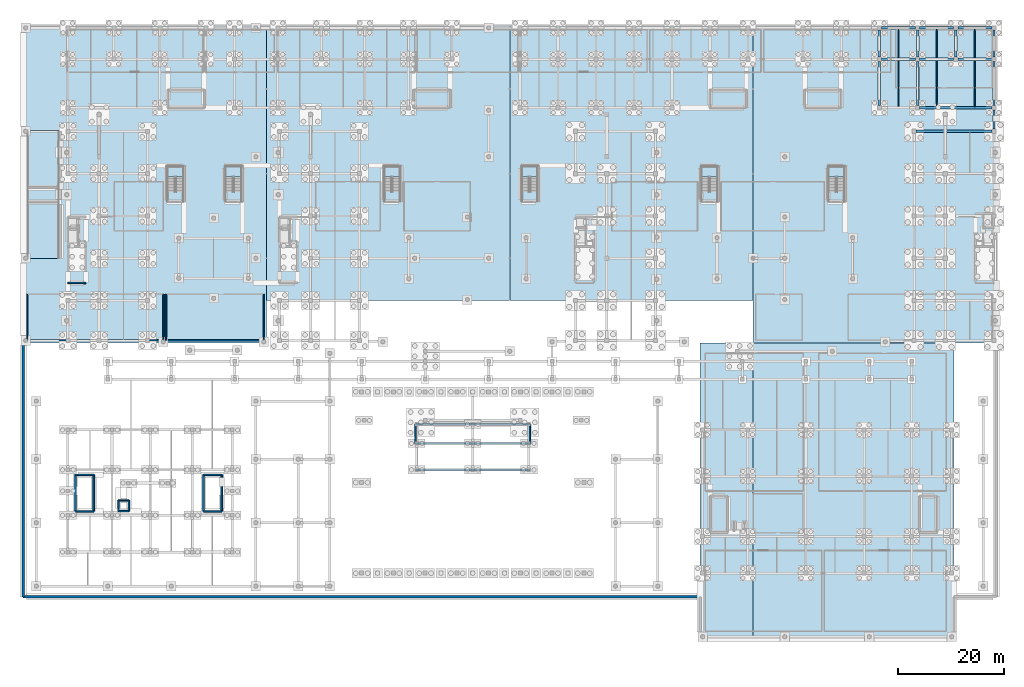
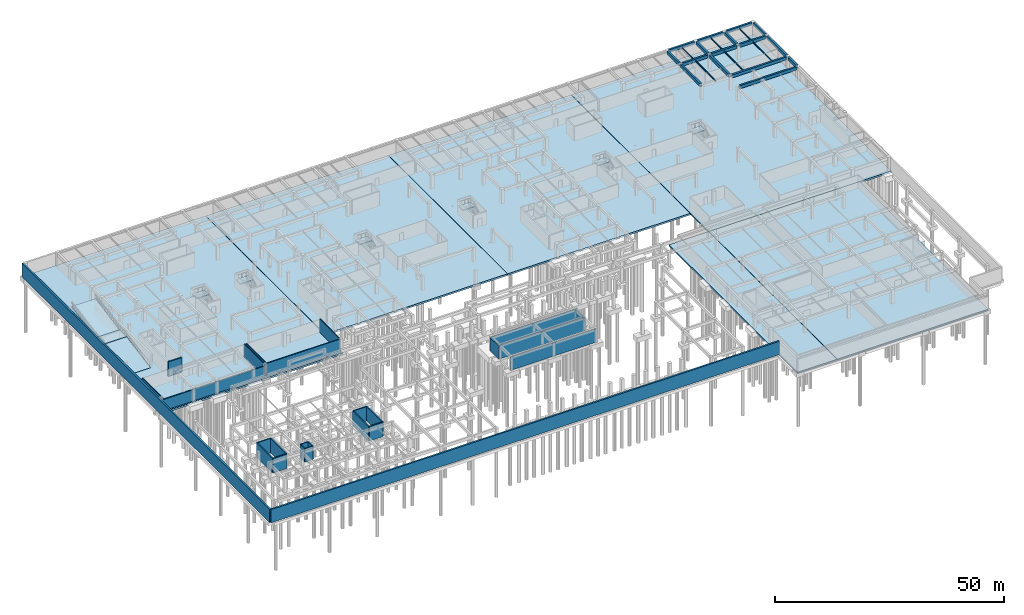
# One storey, part 18 of 35: 26 walls, 22 beams, 15 slabs, 6 elements without a shape of their own.
"""IFC4 building model written with IfcOpenShell, lengths in metres."""

from ifc_helpers import new_model, si_unit, direction, frame, frame_2d, origin, origin_2d, place, context, subcontext, project, spatial, polyline, rectangle, i_section, outline, extrude, material, layer, layer_set, material_profile, profile_set, type_object, element, aggregate, save


model = new_model("IFC4")

# Units and contexts
model_context = context("Model", 3, precision=1e-05, world=origin(), true_north=direction((0.0, 1.0)))
body_context = subcontext(model_context, "Body", "Model", "MODEL_VIEW")
ifc_project = project(units=[si_unit("LENGTHUNIT", "METRE"), si_unit("AREAUNIT", "SQUARE_METRE"), si_unit("VOLUMEUNIT", "CUBIC_METRE"), si_unit("PLANEANGLEUNIT", "RADIAN"), si_unit("MASSUNIT", "GRAM", prefix="KILO")], contexts=[model_context])

# Site, building, storey
site_placement = place(None, origin())
site = spatial("IfcSite", under=ifc_project, at=site_placement, CompositionType="ELEMENT")
building_placement = place(site_placement, origin())
building = spatial("IfcBuilding", under=site, at=building_placement, Name="Keldmere Railside Commons", CompositionType="ELEMENT")
storey_placement = place(building_placement, frame((0.0, 0.0, -3.840087890625)))
storey = spatial("IfcBuildingStorey", under=building, at=storey_placement, Name="B1", CompositionType="ELEMENT", Elevation=-3.840087890625)

# Beams
ifc_material_1 = material(Name="Concrete H-35 (C35/45)", Category="concrete")
ifc_material_profile_1 = material_profile(ifc_material_1, rectangle(XDim=0.449951171875, YDim=0.800048828125, at=origin_2d()), Name="RC-450x800")
ifc_profile_set_1 = profile_set([ifc_material_profile_1], Name="Concrete H-35 (C35/45)")
beam_type_1 = type_object("IfcBeamType", Name="Basement & Podium RC Girder 450x800", PredefinedType="BEAM", material=ifc_profile_set_1)
beam_1_placement = place(storey_placement, frame((168.85009765625, 96.0, 3.440185546875), z_axis=(1.0, 0.0, 0.0), x_axis=(0.0, 1.0, 0.0)))
element("IfcBeam", 1, at=beam_1_placement, inside=storey, type_object=beam_type_1, Name="BG-1 BM-B1-0134", PredefinedType="BEAM", context=body_context, shape_type="SweptSolid", body=[
    extrude(rectangle(XDim=0.449951171875, YDim=0.800048828125, at=origin_2d()), origin(), (0.0, 0.0, 1.0), 14.2998046875),
])
beam_2_placement = place(storey_placement, frame((169.510009765625, 100.449951171875, 3.440185546875), z_axis=(1.0, 0.0, 0.0), x_axis=(0.0, 1.0, 0.0)))
element("IfcBeam", 2, at=beam_2_placement, inside=storey, type_object=beam_type_1, Name="BG-1 BM-B1-0144", PredefinedType="BEAM", context=body_context, shape_type="SweptSolid", body=[
    extrude(rectangle(XDim=0.449951171875, YDim=0.800048828125, at=origin_2d()), origin(), (0.0, 0.0, 1.0), 13.639892578125),
])
for number, where, z_axis, x_axis, name in (
    (3, (162.2900390625, 109.64990234375, 3.440185546875), (1.0, 0.0, 0.0), (0.0, 1.0, 0.0), "BG-1 BM-B1-0161"),
    (4, (169.510009765625, 109.64990234375, 3.440185546875), (1.0, 0.0, 0.0), (0.0, 1.0, 0.0), "BG-1 BM-B1-0162"),
    (5, (176.72998046875, 109.64990234375, 3.440185546875), (1.0, 0.0, 0.0), (0.0, 1.0, 0.0), "BG-1 BM-B1-0163"),
    (6, (162.2900390625, 115.550048828125, 3.440185546875), (1.0, 0.0, 0.0), (0.0, 1.0, 0.0), "BG-1 BM-B1-0179"),
    (7, (169.510009765625, 115.550048828125, 3.440185546875), (1.0, 0.0, 0.0), (0.0, 1.0, 0.0), "BG-1 BM-B1-0180"),
    (8, (176.72998046875, 115.550048828125, 3.440185546875), (1.0, 0.0, 0.0), (0.0, 1.0, 0.0), "BG-1 BM-B1-0181"),
):
    element("IfcBeam", number, at=place(storey_placement, frame(where, z_axis=z_axis, x_axis=x_axis)), inside=storey, type_object=beam_type_1, Name=name, PredefinedType="BEAM", context=body_context, shape_type="SweptSolid", body=[
        extrude(rectangle(XDim=0.449951171875, YDim=0.800048828125, at=origin_2d()), origin(), (0.0, 0.0, 1.0), 6.419921875),
    ])
beam_3_placement = place(storey_placement, frame((161.889892578125, 100.85009765625, 3.440185546875), z_axis=(0.0, 1.0, 0.0), x_axis=(-1.0, 0.0, 0.0)))
element("IfcBeam", 9, at=beam_3_placement, inside=storey, type_object=beam_type_1, Name="BG-1 BM-B1-0316", PredefinedType="BEAM", context=body_context, shape_type="SweptSolid", body=[
    extrude(rectangle(XDim=0.449951171875, YDim=0.800048828125, at=origin_2d()), origin(), (0.0, 0.0, 1.0), 8.39990234375),
])
beam_4_placement = place(storey_placement, frame((161.889892578125, 110.050048828125, 3.440185546875), z_axis=(0.0, 1.0, 0.0), x_axis=(-1.0, 0.0, 0.0)))
element("IfcBeam", 10, at=beam_4_placement, inside=storey, type_object=beam_type_1, Name="BG-1 BM-B1-0317", PredefinedType="BEAM", context=body_context, shape_type="SweptSolid", body=[
    extrude(rectangle(XDim=0.449951171875, YDim=0.800048828125, at=origin_2d()), origin(), (0.0, 0.0, 1.0), 5.099853515625),
])
beam_5_placement = place(storey_placement, frame((169.110107421875, 100.85009765625, 3.440185546875), z_axis=(0.0, 1.0, 0.0), x_axis=(-1.0, 0.0, 0.0)))
element("IfcBeam", 11, at=beam_5_placement, inside=storey, type_object=beam_type_1, Name="BG-1 BM-B1-0327", PredefinedType="BEAM", context=body_context, shape_type="SweptSolid", body=[
    extrude(rectangle(XDim=0.449951171875, YDim=0.800048828125, at=origin_2d()), origin(), (0.0, 0.0, 1.0), 8.39990234375),
])
for number, where, z_axis, x_axis, name in (
    (12, (169.110107421875, 110.050048828125, 3.440185546875), (0.0, 1.0, 0.0), (-1.0, 0.0, 0.0), "BG-1 BM-B1-0328"),
    (13, (176.330078125, 110.050048828125, 3.440185546875), (0.0, 1.0, 0.0), (-1.0, 0.0, 0.0), "BG-1 BM-B1-0336"),
):
    element("IfcBeam", number, at=place(storey_placement, frame(where, z_axis=z_axis, x_axis=x_axis)), inside=storey, type_object=beam_type_1, Name=name, PredefinedType="BEAM", context=body_context, shape_type="SweptSolid", body=[
        extrude(rectangle(XDim=0.449951171875, YDim=0.800048828125, at=origin_2d()), origin(), (0.0, 0.0, 1.0), 5.099853515625),
    ])
beam_6_placement = place(storey_placement, frame((183.550048828125, 96.39990234375, 3.440185546875), z_axis=(0.0, 1.0, 0.0), x_axis=(-1.0, 0.0, 0.0)))
element("IfcBeam", 14, at=beam_6_placement, inside=storey, type_object=beam_type_1, Name="BG-1 BM-B1-0343", PredefinedType="BEAM", context=body_context, shape_type="SweptSolid", body=[
    extrude(rectangle(XDim=0.449951171875, YDim=0.800048828125, at=origin_2d()), origin(), (0.0, 0.0, 1.0), 3.650146484375),
])
beam_7_placement = place(storey_placement, frame((183.550048828125, 100.85009765625, 3.440185546875), z_axis=(0.0, 1.0, 0.0), x_axis=(-1.0, 0.0, 0.0)))
element("IfcBeam", 15, at=beam_7_placement, inside=storey, type_object=beam_type_1, Name="BG-1 BM-B1-0344", PredefinedType="BEAM", context=body_context, shape_type="SweptSolid", body=[
    extrude(rectangle(XDim=0.449951171875, YDim=0.800048828125, at=origin_2d()), origin(), (0.0, 0.0, 1.0), 8.39990234375),
])
beam_8_placement = place(storey_placement, frame((183.550048828125, 110.050048828125, 3.440185546875), z_axis=(0.0, 1.0, 0.0), x_axis=(-1.0, 0.0, 0.0)))
element("IfcBeam", 16, at=beam_8_placement, inside=storey, type_object=beam_type_1, Name="BG-1 BM-B1-0345", PredefinedType="BEAM", context=body_context, shape_type="SweptSolid", body=[
    extrude(rectangle(XDim=0.449951171875, YDim=0.800048828125, at=origin_2d()), origin(), (0.0, 0.0, 1.0), 5.099853515625),
])
ifc_material_2 = material(Name="Steel F-36 (S355)", Category="steel")
ifc_material_profile_2 = material_profile(ifc_material_2, i_section(OverallWidth=0.14990234375, OverallDepth=0.300048828125, WebThickness=0.007080078125, FlangeThickness=0.0107421875, at=origin_2d()), Name="IPE-300")
ifc_profile_set_2 = profile_set([ifc_material_profile_2], Name="Steel F-36 (S355)")
beam_type_2 = type_object("IfcBeamType", Name="Podium & Arcade Steel Joist IPE300", PredefinedType="JOIST", material=ifc_profile_set_2)
for number, where, z_axis, x_axis, name in (
    (17, (165.5, 100.675048828125, 3.3701171875), (0.0, 1.0, 0.0), (-1.0, 0.0, 0.0), "JST-1 BM-B1-0402"),
    (18, (172.719970703125, 100.675048828125, 3.3701171875), (0.0, 1.0, 0.0), (-1.0, 0.0, 0.0), "JST-1 BM-B1-0403"),
    (19, (179.93994140625, 100.675048828125, 3.3701171875), (0.0, 1.0, 0.0), (-1.0, 0.0, 0.0), "JST-1 BM-B1-0404"),
):
    element("IfcBeam", number, at=place(storey_placement, frame(where, z_axis=z_axis, x_axis=x_axis)), inside=storey, type_object=beam_type_2, Name=name, PredefinedType="JOIST", context=body_context, shape_type="SweptSolid", body=[
        extrude(i_section(OverallWidth=0.14990234375, OverallDepth=0.300048828125, WebThickness=0.007080078125, FlangeThickness=0.0107421875, at=origin_2d()), origin(), (0.0, 0.0, 1.0), 8.75),
    ])
for number, where, z_axis, x_axis, name in (
    (20, (165.5, 109.875, 3.3701171875), (0.0, 1.0, 0.0), (-1.0, 0.0, 0.0), "JST-1 BM-B1-0420"),
    (21, (172.719970703125, 109.875, 3.3701171875), (0.0, 1.0, 0.0), (-1.0, 0.0, 0.0), "JST-1 BM-B1-0421"),
    (22, (179.93994140625, 109.875, 3.3701171875), (0.0, 1.0, 0.0), (-1.0, 0.0, 0.0), "JST-1 BM-B1-0422"),
):
    element("IfcBeam", number, at=place(storey_placement, frame(where, z_axis=z_axis, x_axis=x_axis)), inside=storey, type_object=beam_type_2, Name=name, PredefinedType="JOIST", context=body_context, shape_type="SweptSolid", body=[
        extrude(i_section(OverallWidth=0.14990234375, OverallDepth=0.300048828125, WebThickness=0.007080078125, FlangeThickness=0.0107421875, at=origin_2d()), origin(), (0.0, 0.0, 1.0), 5.449951171875),
    ])

# Slabs
ifc_material_3 = material(Name="Concrete H-40 (C40/50)", Category="concrete")
ifc_layer_1 = layer(ifc_material_3, 0.449951171875, Name="Basement Base Slab 450")
ifc_layer_set_1 = layer_set([ifc_layer_1], Name="Concrete H-40 (C40/50)")
slab_type_1 = type_object("IfcSlabType", Name="Basement Base Slab 450", PredefinedType="BASESLAB", material=ifc_layer_set_1)
slab_1_placement = place(storey_placement, frame((0.0, 0.0, -0.449951171875)))
element("IfcSlab", 23, at=slab_1_placement, inside=storey, type_object=slab_type_1, Name="BS-1 B1-W-B1-001", PredefinedType="BASESLAB", context=body_context, shape_type="SweptSolid", body=[
    extrude(outline(polyline([(45.969970703125, 56.0), (45.969970703125, 116.0), (0.0, 116.0), (0.0, 56.0), (45.969970703125, 56.0)]), holes=[polyline([(0.800048828125, 73.699951171875), (6.800048828125, 73.699951171875), (6.800048828125, 72.010009765625), (0.800048828125, 72.010009765625), (0.800048828125, 73.699951171875)])]), origin(), (0.0, 0.0, 1.0), 0.449951171875),
])
slab_2_placement = place(storey_placement, frame((0.0, 0.0, -0.449951171875)))
element("IfcSlab", 24, at=slab_2_placement, inside=storey, type_object=slab_type_1, Name="BS-1 B1-CW-B1-002", PredefinedType="BASESLAB", context=body_context, shape_type="SweptSolid", body=[
    extrude(outline(polyline([(46.030029296875, 116.0), (46.030029296875, 64.0), (91.969970703125, 64.0), (91.969970703125, 116.0), (46.030029296875, 116.0)])), origin(), (0.0, 0.0, 1.0), 0.449951171875),
])
slab_3_placement = place(storey_placement, frame((0.0, 0.0, -0.449951171875)))
element("IfcSlab", 25, at=slab_3_placement, inside=storey, type_object=slab_type_1, Name="BS-1 B1-CE-B1-003", PredefinedType="BASESLAB", context=body_context, shape_type="SweptSolid", body=[
    extrude(outline(polyline([(92.030029296875, 116.0), (92.030029296875, 64.0), (137.969970703125, 64.0), (137.969970703125, 116.0), (92.030029296875, 116.0)])), origin(), (0.0, 0.0, 1.0), 0.449951171875),
])
slab_4_placement = place(storey_placement, frame((0.0, 0.0, -0.449951171875)))
element("IfcSlab", 26, at=slab_4_placement, inside=storey, type_object=slab_type_1, Name="BS-1 B1-E-B1-004", PredefinedType="BASESLAB", context=body_context, shape_type="SweptSolid", body=[
    extrude(outline(polyline([(138.030029296875, 116.0), (138.030029296875, 56.0), (184.0, 56.0), (184.0, 116.0), (138.030029296875, 116.0)])), origin(), (0.0, 0.0, 1.0), 0.449951171875),
])
ifc_layer_2 = layer(ifc_material_3, 0.39990234375, Name="Civic Pit Base Slab 400")
ifc_layer_set_2 = layer_set([ifc_layer_2], Name="Concrete H-40 (C40/50)")
slab_type_2 = type_object("IfcSlabType", Name="Civic Pit Base Slab 400", PredefinedType="BASESLAB", material=ifc_layer_set_2)
slab_5_placement = place(storey_placement, frame((0.0, 0.0, -0.39990234375)))
element("IfcSlab", 27, at=slab_5_placement, inside=storey, type_object=slab_type_2, Name="BS-2 B1-ARC-B1-005", PredefinedType="BASESLAB", context=body_context, shape_type="SweptSolid", body=[
    extrude(outline(polyline([(137.969970703125, 0.0), (137.969970703125, 56.0), (128.0, 56.0), (128.0, 0.0), (137.969970703125, 0.0)])), origin(), (0.0, 0.0, 1.0), 0.39990234375),
])
slab_6_placement = place(storey_placement, frame((0.0, 0.0, -0.39990234375)))
element("IfcSlab", 28, at=slab_6_placement, inside=storey, type_object=slab_type_2, Name="BS-2 B1-ARC-B1-006", PredefinedType="BASESLAB", context=body_context, shape_type="SweptSolid", body=[
    extrude(outline(polyline([(138.030029296875, 56.0), (138.030029296875, 0.0), (176.0, 0.0), (176.0, 56.0), (138.030029296875, 56.0)])), origin(), (0.0, 0.0, 1.0), 0.39990234375),
])
ifc_material_4 = material(Name="Concrete H-30 (C30/37)", Category="concrete")
ifc_layer_3 = layer(ifc_material_4, 0.260009765625, Name="Civic Upper Floor Slab 260")
ifc_layer_set_3 = layer_set([ifc_layer_3], Name="Concrete H-30 (C30/37)")
slab_type_3 = type_object("IfcSlabType", Name="Civic Upper Floor Slab 260", PredefinedType="FLOOR", material=ifc_layer_set_3)
slab_7_placement = place(storey_placement, frame((0.0, 0.0, 1.66015625)))
element("IfcSlab", 29, at=slab_7_placement, inside=storey, type_object=slab_type_3, Name="FS-3 Vehicle Ramp Mid-Landing", PredefinedType="FLOOR", context=body_context, shape_type="SweptSolid", body=[
    extrude(outline(polyline([(0.800048828125, 82.5), (6.800048828125, 82.5), (6.800048828125, 85.5), (0.800048828125, 85.5), (0.800048828125, 82.5)])), origin(), (0.0, 0.0, 1.0), 0.260009765625),
])

# Stair, slab
stair_type = type_object("IfcStairType", Name="Basement Garage Dogleg Escape Stair 1450", PredefinedType="HALF_TURN_STAIR", material=ifc_material_4)
stair_1_placement = place(storey_placement, origin())
stair_1 = element("IfcStair", 30, at=stair_1_placement, inside=storey, type_object=stair_type, Name="B1 Basement Garage Escape Stair ST-B1", PredefinedType="HALF_TURN_STAIR")
ifc_layer_4 = layer(ifc_material_4, 0.199951171875, Name="Enclosed Stair Landing Slab 200")
ifc_layer_set_4 = layer_set([ifc_layer_4], Name="Concrete H-30 (C30/37)")
slab_type_4 = type_object("IfcSlabType", Name="Enclosed Stair Landing Slab 200", PredefinedType="LANDING", material=ifc_layer_set_4)
slab_8_placement = place(storey_placement, frame((0.0, 0.0, 1.719970703125)))
slab_8 = element("IfcSlab", 31, at=slab_8_placement, type_object=slab_type_4, Name="ST-B1 landing 1", PredefinedType="LANDING", context=body_context, shape_type="SweptSolid", body=[
    extrude(outline(polyline([(30.300048828125, 87.39990234375), (30.300048828125, 89.39990234375), (27.25, 89.39990234375), (27.25, 87.39990234375), (30.300048828125, 87.39990234375)])), origin(), (0.0, 0.0, 1.0), 0.2001953125),
])
aggregate(stair_1, [slab_8])

stair_2_placement = place(storey_placement, origin())
stair_2 = element("IfcStair", 32, at=stair_2_placement, inside=storey, type_object=stair_type, Name="B1 Basement Garage Escape Stair ST-B2", PredefinedType="HALF_TURN_STAIR")
slab_9_placement = place(storey_placement, frame((0.0, 0.0, 1.719970703125)))
slab_9 = element("IfcSlab", 33, at=slab_9_placement, type_object=slab_type_4, Name="ST-B2 landing 1", PredefinedType="LANDING", context=body_context, shape_type="SweptSolid", body=[
    extrude(outline(polyline([(41.300048828125, 87.39990234375), (41.300048828125, 89.39990234375), (38.25, 89.39990234375), (38.25, 87.39990234375), (41.300048828125, 87.39990234375)])), origin(), (0.0, 0.0, 1.0), 0.2001953125),
])
aggregate(stair_2, [slab_9])

stair_3_placement = place(storey_placement, origin())
stair_3 = element("IfcStair", 34, at=stair_3_placement, inside=storey, type_object=stair_type, Name="B1 Basement Garage Escape Stair ST-B3", PredefinedType="HALF_TURN_STAIR")
slab_10_placement = place(storey_placement, frame((0.0, 0.0, 1.719970703125)))
slab_10 = element("IfcSlab", 35, at=slab_10_placement, type_object=slab_type_4, Name="ST-B3 landing 1", PredefinedType="LANDING", context=body_context, shape_type="SweptSolid", body=[
    extrude(outline(polyline([(71.300048828125, 87.39990234375), (71.300048828125, 89.39990234375), (68.25, 89.39990234375), (68.25, 87.39990234375), (71.300048828125, 87.39990234375)])), origin(), (0.0, 0.0, 1.0), 0.2001953125),
])
aggregate(stair_3, [slab_10])

stair_4_placement = place(storey_placement, origin())
stair_4 = element("IfcStair", 36, at=stair_4_placement, inside=storey, type_object=stair_type, Name="B1 Basement Garage Escape Stair ST-B4", PredefinedType="HALF_TURN_STAIR")
slab_11_placement = place(storey_placement, frame((0.0, 0.0, 1.719970703125)))
slab_11 = element("IfcSlab", 37, at=slab_11_placement, type_object=slab_type_4, Name="ST-B4 landing 1", PredefinedType="LANDING", context=body_context, shape_type="SweptSolid", body=[
    extrude(outline(polyline([(97.300048828125, 87.39990234375), (97.300048828125, 89.39990234375), (94.25, 89.39990234375), (94.25, 87.39990234375), (97.300048828125, 87.39990234375)])), origin(), (0.0, 0.0, 1.0), 0.2001953125),
])
aggregate(stair_4, [slab_11])

stair_5_placement = place(storey_placement, origin())
stair_5 = element("IfcStair", 38, at=stair_5_placement, inside=storey, type_object=stair_type, Name="B1 Basement Garage Escape Stair ST-B5", PredefinedType="HALF_TURN_STAIR")
slab_12_placement = place(storey_placement, frame((0.0, 0.0, 1.719970703125)))
slab_12 = element("IfcSlab", 39, at=slab_12_placement, type_object=slab_type_4, Name="ST-B5 landing 1", PredefinedType="LANDING", context=body_context, shape_type="SweptSolid", body=[
    extrude(outline(polyline([(131.300048828125, 87.39990234375), (131.300048828125, 89.39990234375), (128.25, 89.39990234375), (128.25, 87.39990234375), (131.300048828125, 87.39990234375)])), origin(), (0.0, 0.0, 1.0), 0.2001953125),
])
aggregate(stair_5, [slab_12])

stair_6_placement = place(storey_placement, origin())
stair_6 = element("IfcStair", 40, at=stair_6_placement, inside=storey, type_object=stair_type, Name="B1 Basement Garage Escape Stair ST-B6", PredefinedType="HALF_TURN_STAIR")
slab_13_placement = place(storey_placement, frame((0.0, 0.0, 1.719970703125)))
slab_13 = element("IfcSlab", 41, at=slab_13_placement, type_object=slab_type_4, Name="ST-B6 landing 1", PredefinedType="LANDING", context=body_context, shape_type="SweptSolid", body=[
    extrude(outline(polyline([(155.300048828125, 87.39990234375), (155.300048828125, 89.39990234375), (152.25, 89.39990234375), (152.25, 87.39990234375), (155.300048828125, 87.39990234375)])), origin(), (0.0, 0.0, 1.0), 0.2001953125),
])
aggregate(stair_6, [slab_13])

# Slabs
ifc_layer_5 = layer(ifc_material_1, 0.300048828125, Name="Subterranean Vehicle Ramp Slab 300")
ifc_layer_set_5 = layer_set([ifc_layer_5], Name="Concrete H-35 (C35/45)")
slab_type_5 = type_object("IfcSlabType", Name="Subterranean Vehicle Ramp Slab 300", PredefinedType="FLOOR", material=ifc_layer_set_5)
slab_14_placement = place(storey_placement, frame((0.800048828125, 72.0, 0.0), z_axis=(0.0, -0.17988970823, 0.98368678596), x_axis=(1.0, 0.0, 0.0)))
element("IfcSlab", 42, at=slab_14_placement, inside=storey, type_object=slab_type_5, Name="VR-1 VR-SLB Lower Vehicle Ramp Slab", PredefinedType="FLOOR", context=body_context, shape_type="SweptSolid", body=[
    extrude(outline(polyline([(0.0, 0.0), (6.0, 0.0), (6.0, 10.674129356887203), (0.0, 10.674129356887203), (0.0, 0.0)])), origin(), (0.0, 0.0, -1.0), 0.300048828125),
])
slab_15_placement = place(storey_placement, frame((0.800048828125, 85.5, 1.920166015625), z_axis=(0.0, -0.178549761503, 0.983930883074), x_axis=(1.0, 0.0, 0.0)))
element("IfcSlab", 43, at=slab_15_placement, inside=storey, type_object=slab_type_5, Name="VR-1 VR-SLB Upper Vehicle Ramp Slab", PredefinedType="FLOOR", context=body_context, shape_type="SweptSolid", body=[
    extrude(outline(polyline([(0.0, 0.0), (6.0, 0.0), (6.0, 10.75286720541117), (0.0, 10.75286720541117), (0.0, 0.0)])), origin(), (0.0, 0.0, -1.0), 0.300048828125),
])

# Walls
ifc_layer_6 = layer(ifc_material_3, 0.419921875, Name="Basement Retaining Wall 420")
ifc_layer_set_6 = layer_set([ifc_layer_6], Name="Concrete H-40 (C40/50)")
wall_type_1 = type_object("IfcWallType", Name="Basement Retaining Wall 420", PredefinedType="SOLIDWALL", material=ifc_layer_set_6)
wall_1_placement = place(storey_placement, frame((0.0, 8.0, 0.0), z_axis=(0.0, 0.0, 1.0), x_axis=(0.0, 1.0, 0.0)))
element("IfcWall", 44, at=wall_1_placement, inside=storey, type_object=wall_type_1, Name="RW-1 RW-B1-0001", PredefinedType="SOLIDWALL", context=body_context, shape_type="SweptSolid", body=[
    extrude(rectangle(XDim=108.0, YDim=0.419921875, at=frame_2d((54.0, 0.0))), origin(), (0.0, 0.0, 1.0), 3.5400390625),
])
wall_2_placement = place(storey_placement, frame((128.0, 8.0, 0.0), z_axis=(0.0, 0.0, 1.0), x_axis=(-1.0, 0.0, 0.0)))
element("IfcWall", 45, at=wall_2_placement, inside=storey, type_object=wall_type_1, Name="RW-1 RW-B1-0008", PredefinedType="SOLIDWALL", context=body_context, shape_type="SweptSolid", body=[
    extrude(rectangle(XDim=128.0, YDim=0.419921875, at=frame_2d((64.0, 0.0))), origin(), (0.0, 0.0, 1.0), 3.5400390625),
])
ifc_layer_7 = layer(ifc_material_1, 0.280029296875, Name="Core Shear Wall 280")
ifc_layer_set_7 = layer_set([ifc_layer_7], Name="Concrete H-35 (C35/45)")
wall_type_2 = type_object("IfcWallType", Name="Core Shear Wall 280", PredefinedType="SHEAR", material=ifc_layer_set_7)
for number, where, z_axis, x_axis, name in (
    (46, (20.0, 24.199951171875, 0.0), (0.0, 0.0, 1.0), (0.0, 1.0, 0.0), "CSW-2 NLSH-B1-0993"),
    (47, (18.0, 24.199951171875, 0.0), (0.0, 0.0, 1.0), (0.0, 1.0, 0.0), "CSW-2 NLSHB-B1-0994"),
    (48, (18.0, 24.199951171875, 0.0), (0.0, 0.0, 1.0), (1.0, 0.0, 0.0), "CSW-2 NLSHS-B1-0995"),
    (49, (18.0, 26.199951171875, 0.0), (0.0, 0.0, 1.0), (1.0, 0.0, 0.0), "CSW-2 NLSHN-B1-0996"),
):
    element("IfcWall", number, at=place(storey_placement, frame(where, z_axis=z_axis, x_axis=x_axis)), inside=storey, type_object=wall_type_2, Name=name, PredefinedType="SHEAR", context=body_context, shape_type="SweptSolid", body=[
        extrude(rectangle(XDim=2.0, YDim=0.280029296875, at=frame_2d((1.0, 0.0))), origin(), (0.0, 0.0, 1.0), 3.52001953125),
    ])
ifc_layer_8 = layer(ifc_material_1, 0.300048828125, Name="Interior Shear Wall 300")
ifc_layer_set_8 = layer_set([ifc_layer_8], Name="Concrete H-35 (C35/45)")
wall_type_3 = type_object("IfcWallType", Name="Interior Shear Wall 300", PredefinedType="SHEAR", material=ifc_layer_set_8)
for number, where, z_axis, x_axis, name in (
    (50, (74.199951171875, 36.949951171875, 0.0), (0.0, 0.0, 1.0), (1.0, 0.0, 0.0), "ISW-2 WAL-STAGE-S-B1"),
    (51, (74.199951171875, 40.64990234375, 0.0), (0.0, 0.0, 1.0), (1.0, 0.0, 0.0), "ISW-2 WAL-STAGE-N-B1"),
):
    element("IfcWall", number, at=place(storey_placement, frame(where, z_axis=z_axis, x_axis=x_axis)), inside=storey, type_object=wall_type_3, Name=name, PredefinedType="SHEAR", context=body_context, shape_type="SweptSolid", body=[
        extrude(rectangle(XDim=21.60009765625, YDim=0.300048828125, at=frame_2d((10.800048828125, 0.0))), origin(), (0.0, 0.0, 1.0), 3.52001953125),
    ])
for number, where, z_axis, x_axis, name in (
    (52, (74.199951171875, 36.949951171875, 0.0), (0.0, 0.0, 1.0), (0.0, 1.0, 0.0), "ISW-2 WAL-STAGE-W-B1"),
    (53, (95.800048828125, 36.949951171875, 0.0), (0.0, 0.0, 1.0), (0.0, 1.0, 0.0), "ISW-2 WAL-STAGE-E-B1"),
):
    element("IfcWall", number, at=place(storey_placement, frame(where, z_axis=z_axis, x_axis=x_axis)), inside=storey, type_object=wall_type_3, Name=name, PredefinedType="SHEAR", context=body_context, shape_type="SweptSolid", body=[
        extrude(rectangle(XDim=3.699951171875, YDim=0.300048828125, at=frame_2d((1.85009765625, 0.0))), origin(), (0.0, 0.0, 1.0), 3.52001953125),
    ])
wall_3_placement = place(storey_placement, frame((74.199951171875, 32.0, 0.0), z_axis=(0.0, 0.0, 1.0), x_axis=(1.0, 0.0, 0.0)))
element("IfcWall", 54, at=wall_3_placement, inside=storey, type_object=wall_type_3, Name="ISW-2 WAL-STAGE-TOE-B1", PredefinedType="SHEAR", context=body_context, shape_type="SweptSolid", body=[
    extrude(rectangle(XDim=21.60009765625, YDim=0.300048828125, at=frame_2d((10.800048828125, 0.0))), origin(), (0.0, 0.0, 1.0), 3.52001953125),
])
wall_4_placement = place(storey_placement, frame((11.8701171875, 67.35009765625, 0.0), z_axis=(0.0, 0.0, 1.0), x_axis=(-1.0, 0.0, 0.0)))
element("IfcWall", 55, at=wall_4_placement, inside=storey, type_object=wall_type_3, Name="ISW-2 COREDS-B1-0018", PredefinedType="SHEAR", context=body_context, shape_type="SweptSolid", body=[
    extrude(rectangle(XDim=3.41015625, YDim=0.300048828125, at=frame_2d((1.705078125, 0.0))), origin(), (0.0, 0.0, 1.0), 3.840087890625),
])
wall_5_placement = place(storey_placement, frame((9.89990234375, 24.14990234375, 0.0), z_axis=(0.0, 0.0, 1.0), x_axis=(1.0, 0.0, 0.0)))
element("IfcWall", 56, at=wall_5_placement, inside=storey, type_object=wall_type_3, Name="ISW-2 WAL-ST-N1-B1-S", PredefinedType="SHEAR", context=body_context, shape_type="SweptSolid", body=[
    extrude(rectangle(XDim=3.4501953125, YDim=0.300048828125, at=frame_2d((1.72509765625, 0.0))), origin(), (0.0, 0.0, 1.0), 3.840087890625),
])
wall_6_placement = place(storey_placement, frame((13.35009765625, 31.050048828125, 0.0), z_axis=(0.0, 0.0, 1.0), x_axis=(0.0, -1.0, 0.0)))
element("IfcWall", 57, at=wall_6_placement, inside=storey, type_object=wall_type_3, Name="ISW-2 WAL-ST-N1-B1-E", PredefinedType="SHEAR", context=body_context, shape_type="SweptSolid", body=[
    extrude(rectangle(XDim=6.900146484375, YDim=0.300048828125, at=frame_2d((3.4501953125, 0.0))), origin(), (0.0, 0.0, 1.0), 3.840087890625),
])
wall_7_placement = place(storey_placement, frame((9.89990234375, 31.050048828125, 0.0), z_axis=(0.0, 0.0, 1.0), x_axis=(1.0, 0.0, 0.0)))
element("IfcWall", 58, at=wall_7_placement, inside=storey, type_object=wall_type_3, Name="ISW-2 WAL-ST-N1-B1-N", PredefinedType="SHEAR", context=body_context, shape_type="SweptSolid", body=[
    extrude(rectangle(XDim=3.4501953125, YDim=0.300048828125, at=frame_2d((1.72509765625, 0.0))), origin(), (0.0, 0.0, 1.0), 3.840087890625),
])
wall_8_placement = place(storey_placement, frame((9.89990234375, 24.14990234375, 0.0), z_axis=(0.0, 0.0, 1.0), x_axis=(0.0, 1.0, 0.0)))
element("IfcWall", 59, at=wall_8_placement, inside=storey, type_object=wall_type_3, Name="ISW-2 WAL-ST-N1-B1-W", PredefinedType="SHEAR", context=body_context, shape_type="SweptSolid", body=[
    extrude(rectangle(XDim=6.900146484375, YDim=0.300048828125, at=frame_2d((3.4501953125, 0.0))), origin(), (0.0, 0.0, 1.0), 3.840087890625),
])
wall_9_placement = place(storey_placement, frame((34.10009765625, 24.14990234375, 0.0), z_axis=(0.0, 0.0, 1.0), x_axis=(1.0, 0.0, 0.0)))
element("IfcWall", 60, at=wall_9_placement, inside=storey, type_object=wall_type_3, Name="ISW-2 WAL-ST-N2-B1-S", PredefinedType="SHEAR", context=body_context, shape_type="SweptSolid", body=[
    extrude(rectangle(XDim=3.449951171875, YDim=0.300048828125, at=frame_2d((1.72509765625, 0.0))), origin(), (0.0, 0.0, 1.0), 3.840087890625),
])
wall_10_placement = place(storey_placement, frame((37.550048828125, 31.050048828125, 0.0), z_axis=(0.0, 0.0, 1.0), x_axis=(0.0, -1.0, 0.0)))
element("IfcWall", 61, at=wall_10_placement, inside=storey, type_object=wall_type_3, Name="ISW-2 WAL-ST-N2-B1-E", PredefinedType="SHEAR", context=body_context, shape_type="SweptSolid", body=[
    extrude(rectangle(XDim=6.900146484375, YDim=0.300048828125, at=frame_2d((3.4501953125, 0.0))), origin(), (0.0, 0.0, 1.0), 3.840087890625),
])
wall_11_placement = place(storey_placement, frame((34.10009765625, 31.050048828125, 0.0), z_axis=(0.0, 0.0, 1.0), x_axis=(1.0, 0.0, 0.0)))
element("IfcWall", 62, at=wall_11_placement, inside=storey, type_object=wall_type_3, Name="ISW-2 WAL-ST-N2-B1-N", PredefinedType="SHEAR", context=body_context, shape_type="SweptSolid", body=[
    extrude(rectangle(XDim=3.449951171875, YDim=0.300048828125, at=frame_2d((1.72509765625, 0.0))), origin(), (0.0, 0.0, 1.0), 3.840087890625),
])
wall_12_placement = place(storey_placement, frame((34.10009765625, 24.14990234375, 0.0), z_axis=(0.0, 0.0, 1.0), x_axis=(0.0, 1.0, 0.0)))
element("IfcWall", 63, at=wall_12_placement, inside=storey, type_object=wall_type_3, Name="ISW-2 WAL-ST-N2-B1-W", PredefinedType="SHEAR", context=body_context, shape_type="SweptSolid", body=[
    extrude(rectangle(XDim=6.900146484375, YDim=0.300048828125, at=frame_2d((3.4501953125, 0.0))), origin(), (0.0, 0.0, 1.0), 3.840087890625),
])
ifc_material_5 = material(Name="Terracotta Brick Masonry", Category="masonry")
ifc_layer_9 = layer(ifc_material_5, 0.199951171875, Name="Plant Masonry Infill Wall 200")
ifc_layer_set_9 = layer_set([ifc_layer_9], Name="Terracotta Brick Masonry")
wall_type_4 = type_object("IfcWallType", Name="Plant Masonry Infill Wall 200", PredefinedType="SOLIDWALL", material=ifc_layer_set_9)
wall_13_placement = place(storey_placement, frame((0.800048828125, 56.5, 0.0), z_axis=(0.0, 0.0, 1.0), x_axis=(1.0, 0.0, 0.0)))
element("IfcWall", 64, at=wall_13_placement, inside=storey, type_object=wall_type_4, Name="MW-1 IW-B1-0029", PredefinedType="SOLIDWALL", context=body_context, shape_type="SweptSolid", body=[
    extrude(rectangle(XDim=25.699951171875, YDim=0.199951171875, at=frame_2d((12.85009765625, 0.0))), origin(), (0.0, 0.0, 1.0), 3.02001953125),
])
for number, where, z_axis, x_axis, name in (
    (65, (26.5, 56.5, 0.0), (0.0, 0.0, 1.0), (0.0, 1.0, 0.0), "MW-1 IW-B1-0030"),
    (66, (0.800048828125, 65.199951171875, 0.0), (0.0, 0.0, 1.0), (0.0, -1.0, 0.0), "MW-1 IW-B1-0032"),
):
    element("IfcWall", number, at=place(storey_placement, frame(where, z_axis=z_axis, x_axis=x_axis)), inside=storey, type_object=wall_type_4, Name=name, PredefinedType="SOLIDWALL", context=body_context, shape_type="SweptSolid", body=[
        extrude(rectangle(XDim=8.699951171875, YDim=0.199951171875, at=frame_2d((4.35009765625, 0.0))), origin(), (0.0, 0.0, 1.0), 3.52001953125),
    ])
wall_14_placement = place(storey_placement, frame((27.0, 56.5, 0.0), z_axis=(0.0, 0.0, 1.0), x_axis=(1.0, 0.0, 0.0)))
element("IfcWall", 67, at=wall_14_placement, inside=storey, type_object=wall_type_4, Name="MW-1 IW-B1-0081", PredefinedType="SOLIDWALL", context=body_context, shape_type="SweptSolid", body=[
    extrude(rectangle(XDim=18.5, YDim=0.199951171875, at=frame_2d((9.25, 0.0))), origin(), (0.0, 0.0, 1.0), 3.52001953125),
])
for number, where, z_axis, x_axis, name in (
    (68, (45.5, 56.5, 0.0), (0.0, 0.0, 1.0), (0.0, 1.0, 0.0), "MW-1 IW-B1-0082"),
    (69, (27.0, 65.199951171875, 0.0), (0.0, 0.0, 1.0), (0.0, -1.0, 0.0), "MW-1 IW-B1-0084"),
):
    element("IfcWall", number, at=place(storey_placement, frame(where, z_axis=z_axis, x_axis=x_axis)), inside=storey, type_object=wall_type_4, Name=name, PredefinedType="SOLIDWALL", context=body_context, shape_type="SweptSolid", body=[
        extrude(rectangle(XDim=8.699951171875, YDim=0.199951171875, at=frame_2d((4.35009765625, 0.0))), origin(), (0.0, 0.0, 1.0), 3.52001953125),
    ])

save(model, "model.ifc")
